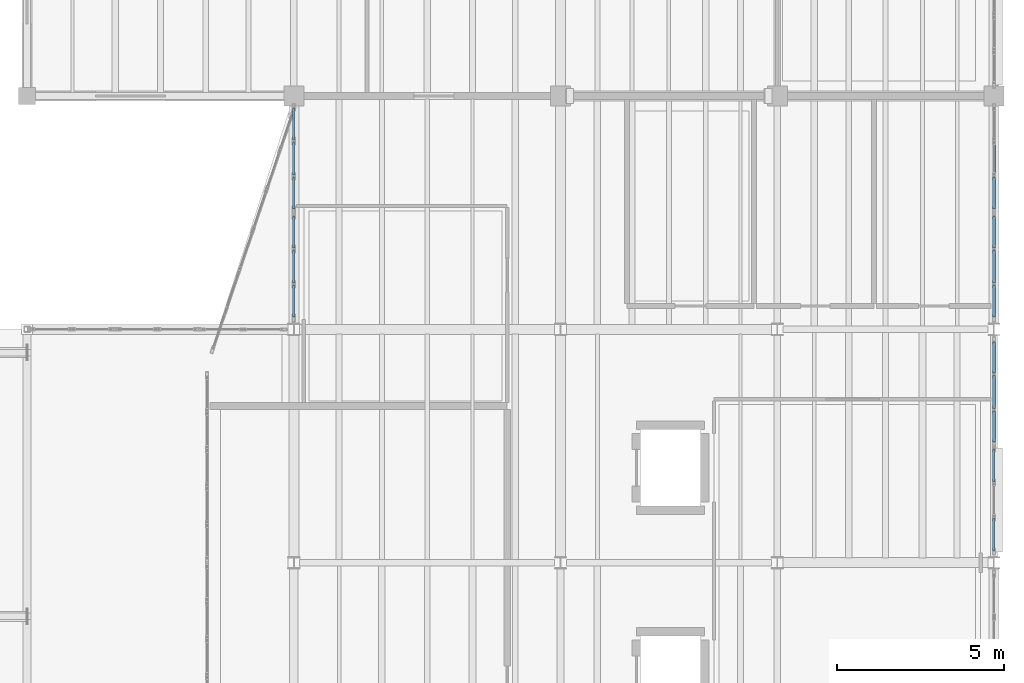
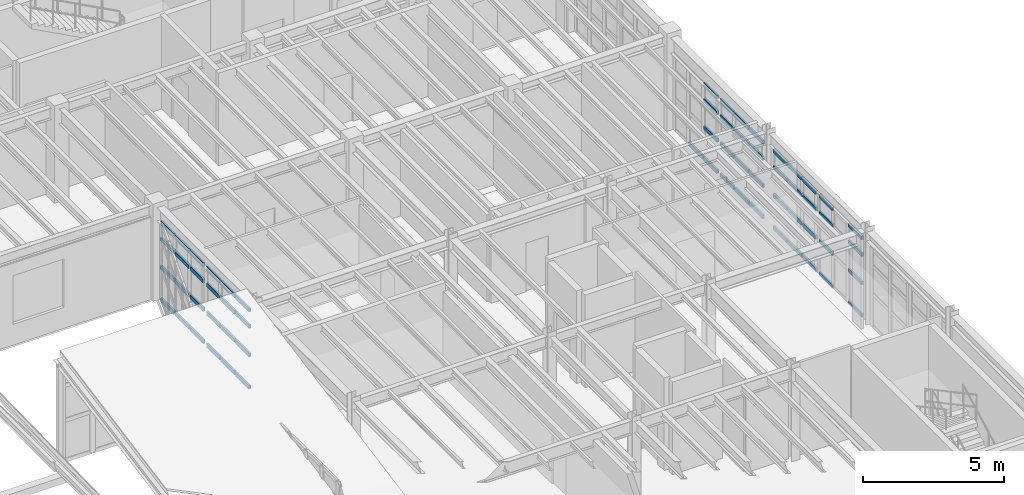
# One storey, part 45 of 77: 61 members, 6 elements without a shape of their own.
"""IFC4 building model written with IfcOpenShell, lengths in metres."""

from ifc_helpers import new_model, si_unit, direction, frame, origin, origin_2d, place, context, subcontext, project, spatial, hollow_rectangle, extrude, material, material_profile, profile_set, type_object, element, aggregate, save


model = new_model("IFC4")

# Units and contexts
model_context = context("Model", 3, precision=1e-05, world=origin(), true_north=direction((0.0, 1.0)))
body_context = subcontext(model_context, "Body", "Model", "MODEL_VIEW")
ifc_project = project(units=[si_unit("LENGTHUNIT", "METRE"), si_unit("AREAUNIT", "SQUARE_METRE"), si_unit("VOLUMEUNIT", "CUBIC_METRE"), si_unit("PLANEANGLEUNIT", "RADIAN"), si_unit("MASSUNIT", "GRAM", prefix="KILO"), si_unit("THERMODYNAMICTEMPERATUREUNIT", "KELVIN"), si_unit("POWERUNIT", "WATT")], contexts=[model_context])

# Site, building, storey
site_placement = place(None, origin())
site = spatial("IfcSite", under=ifc_project, at=site_placement, CompositionType="ELEMENT")
building_placement = place(site_placement, origin())
building = spatial("IfcBuilding", under=site, at=building_placement, Name="Zhenchuan Central Fire Station", CompositionType="ELEMENT")
storey_placement = place(building_placement, frame((0.0, 0.0, 10.050048828125)))
storey = spatial("IfcBuildingStorey", under=building, at=storey_placement, Name="L03", CompositionType="ELEMENT", Elevation=10.050048828125)

# Curtain wall, members
ifc_material_1 = material(Name="Anodised aluminium and low-E glazing", Category="aluminium")
curtain_wall_type_1 = type_object("IfcCurtainWallType", Name="CW-MOD-11", PredefinedType="USERDEFINED", material=ifc_material_1)
curtain_wall_1_placement = place(storey_placement, origin())
curtain_wall_1 = element("IfcCurtainWall", 1, at=curtain_wall_1_placement, inside=storey, type_object=curtain_wall_type_1, Name="L03 Unitised Curtain Wall 108", ObjectType="UNITISED GLAZING", PredefinedType="USERDEFINED")
ifc_material_2 = material(Name="Anodised aluminium EN AW-6063", Category="aluminium")
ifc_material_profile_1 = material_profile(ifc_material_2, hollow_rectangle(XDim=0.074951171875, YDim=0.14990234375, WallThickness=0.0048828125, at=origin_2d()), Name="ALU-T 150x75")
ifc_profile_set_1 = profile_set([ifc_material_profile_1], Name="Anodised aluminium EN AW-6063")
member_type_1 = type_object("IfcMemberType", Name="CW-TRN130", PredefinedType="NOTDEFINED", material=ifc_profile_set_1)
member_1_placement = place(storey_placement, frame((161.0, 28.864990234375, 0.028564453125), z_axis=(0.0, 1.0, 0.0), x_axis=(-1.0, 0.0, 0.0)))
member_1 = element("IfcMember", 2, at=member_1_placement, type_object=member_type_1, Name="CW-11 transom 1.1", ObjectType="TRANSOM", PredefinedType="USERDEFINED", context=body_context, shape_type="SweptSolid", body=[
    extrude(hollow_rectangle(XDim=0.074951171875, YDim=0.14990234375, WallThickness=0.0048828125, at=origin_2d()), origin(), (0.0, 0.0, 1.0), 0.95654296875),
])
member_2_placement = place(storey_placement, frame((161.0, 28.864990234375, 1.427978515625), z_axis=(0.0, 1.0, 0.0), x_axis=(-1.0, 0.0, 0.0)))
member_2 = element("IfcMember", 3, at=member_2_placement, type_object=member_type_1, Name="CW-11 transom 1.2", ObjectType="TRANSOM", PredefinedType="USERDEFINED", context=body_context, shape_type="SweptSolid", body=[
    extrude(hollow_rectangle(XDim=0.074951171875, YDim=0.14990234375, WallThickness=0.0048828125, at=origin_2d()), origin(), (0.0, 0.0, 1.0), 0.95654296875),
])
member_3_placement = place(storey_placement, frame((161.0, 28.864990234375, 2.65185546875), z_axis=(0.0, 1.0, 0.0), x_axis=(-1.0, 0.0, 0.0)))
member_3 = element("IfcMember", 4, at=member_3_placement, type_object=member_type_1, Name="CW-11 transom 1.3", ObjectType="TRANSOM", PredefinedType="USERDEFINED", context=body_context, shape_type="SweptSolid", body=[
    extrude(hollow_rectangle(XDim=0.074951171875, YDim=0.14990234375, WallThickness=0.0048828125, at=origin_2d()), origin(), (0.0, 0.0, 1.0), 0.95654296875),
])
member_4_placement = place(storey_placement, frame((161.0, 28.864990234375, 3.367431640625), z_axis=(0.0, 1.0, 0.0), x_axis=(-1.0, 0.0, 0.0)))
member_4 = element("IfcMember", 5, at=member_4_placement, type_object=member_type_1, Name="CW-11 transom 1.4", ObjectType="TRANSOM", PredefinedType="USERDEFINED", context=body_context, shape_type="SweptSolid", body=[
    extrude(hollow_rectangle(XDim=0.074951171875, YDim=0.14990234375, WallThickness=0.0048828125, at=origin_2d()), origin(), (0.0, 0.0, 1.0), 0.95654296875),
])
member_5_placement = place(storey_placement, frame((161.0, 30.9404296875, 0.028564453125), z_axis=(0.0, 1.0, 0.0), x_axis=(-1.0, 0.0, 0.0)))
member_5 = element("IfcMember", 6, at=member_5_placement, type_object=member_type_1, Name="CW-11 transom 3.1", ObjectType="TRANSOM", PredefinedType="USERDEFINED", context=body_context, shape_type="SweptSolid", body=[
    extrude(hollow_rectangle(XDim=0.074951171875, YDim=0.14990234375, WallThickness=0.0048828125, at=origin_2d()), origin(), (0.0, 0.0, 1.0), 0.95654296875),
])
member_6_placement = place(storey_placement, frame((161.0, 30.9404296875, 1.427978515625), z_axis=(0.0, 1.0, 0.0), x_axis=(-1.0, 0.0, 0.0)))
member_6 = element("IfcMember", 7, at=member_6_placement, type_object=member_type_1, Name="CW-11 transom 3.2", ObjectType="TRANSOM", PredefinedType="USERDEFINED", context=body_context, shape_type="SweptSolid", body=[
    extrude(hollow_rectangle(XDim=0.074951171875, YDim=0.14990234375, WallThickness=0.0048828125, at=origin_2d()), origin(), (0.0, 0.0, 1.0), 0.95654296875),
])
member_7_placement = place(storey_placement, frame((161.0, 30.9404296875, 2.65185546875), z_axis=(0.0, 1.0, 0.0), x_axis=(-1.0, 0.0, 0.0)))
member_7 = element("IfcMember", 8, at=member_7_placement, type_object=member_type_1, Name="CW-11 transom 3.3", ObjectType="TRANSOM", PredefinedType="USERDEFINED", context=body_context, shape_type="SweptSolid", body=[
    extrude(hollow_rectangle(XDim=0.074951171875, YDim=0.14990234375, WallThickness=0.0048828125, at=origin_2d()), origin(), (0.0, 0.0, 1.0), 0.95654296875),
])
member_8_placement = place(storey_placement, frame((161.0, 30.9404296875, 3.367431640625), z_axis=(0.0, 1.0, 0.0), x_axis=(-1.0, 0.0, 0.0)))
member_8 = element("IfcMember", 9, at=member_8_placement, type_object=member_type_1, Name="CW-11 transom 3.4", ObjectType="TRANSOM", PredefinedType="USERDEFINED", context=body_context, shape_type="SweptSolid", body=[
    extrude(hollow_rectangle(XDim=0.074951171875, YDim=0.14990234375, WallThickness=0.0048828125, at=origin_2d()), origin(), (0.0, 0.0, 1.0), 0.95654296875),
])
aggregate(curtain_wall_1, [member_1, member_2, member_3, member_4, member_5, member_6, member_7, member_8])

curtain_wall_type_2 = type_object("IfcCurtainWallType", Name="CW-MOD-12", PredefinedType="USERDEFINED", material=ifc_material_1)
curtain_wall_2_placement = place(storey_placement, origin())
curtain_wall_2 = element("IfcCurtainWall", 10, at=curtain_wall_2_placement, inside=storey, type_object=curtain_wall_type_2, Name="L03 Unitised Curtain Wall 109", ObjectType="UNITISED GLAZING", PredefinedType="USERDEFINED")
ifc_material_profile_2 = material_profile(ifc_material_2, hollow_rectangle(XDim=0.080078125, YDim=0.1650390625, WallThickness=0.0048828125, at=origin_2d()), Name="ALU-T 165x80")
ifc_profile_set_2 = profile_set([ifc_material_profile_2], Name="Anodised aluminium EN AW-6063")
member_type_2 = type_object("IfcMemberType", Name="CW-TRN150", PredefinedType="NOTDEFINED", material=ifc_profile_set_2)
member_9_placement = place(storey_placement, frame((161.0, 32.113037109375, 0.033447265625), z_axis=(0.0, 1.0, 0.0), x_axis=(-1.0, 0.0, 0.0)))
member_9 = element("IfcMember", 11, at=member_9_placement, type_object=member_type_2, Name="CW-12 transom 1.1", ObjectType="TRANSOM", PredefinedType="USERDEFINED", context=body_context, shape_type="SweptSolid", body=[
    extrude(hollow_rectangle(XDim=0.080078125, YDim=0.1650390625, WallThickness=0.0048828125, at=origin_2d()), origin(), (0.0, 0.0, 1.0), 0.94140625),
])
member_10_placement = place(storey_placement, frame((161.0, 32.113037109375, 1.427978515625), z_axis=(0.0, 1.0, 0.0), x_axis=(-1.0, 0.0, 0.0)))
member_10 = element("IfcMember", 12, at=member_10_placement, type_object=member_type_2, Name="CW-12 transom 1.2", ObjectType="TRANSOM", PredefinedType="USERDEFINED", context=body_context, shape_type="SweptSolid", body=[
    extrude(hollow_rectangle(XDim=0.080078125, YDim=0.1650390625, WallThickness=0.0048828125, at=origin_2d()), origin(), (0.0, 0.0, 1.0), 0.94140625),
])
member_11_placement = place(storey_placement, frame((161.0, 32.113037109375, 2.65185546875), z_axis=(0.0, 1.0, 0.0), x_axis=(-1.0, 0.0, 0.0)))
member_11 = element("IfcMember", 13, at=member_11_placement, type_object=member_type_2, Name="CW-12 transom 1.3", ObjectType="TRANSOM", PredefinedType="USERDEFINED", context=body_context, shape_type="SweptSolid", body=[
    extrude(hollow_rectangle(XDim=0.080078125, YDim=0.1650390625, WallThickness=0.0048828125, at=origin_2d()), origin(), (0.0, 0.0, 1.0), 0.94140625),
])
member_12_placement = place(storey_placement, frame((161.0, 32.113037109375, 3.362548828125), z_axis=(0.0, 1.0, 0.0), x_axis=(-1.0, 0.0, 0.0)))
member_12 = element("IfcMember", 14, at=member_12_placement, type_object=member_type_2, Name="CW-12 transom 1.4", ObjectType="TRANSOM", PredefinedType="USERDEFINED", context=body_context, shape_type="SweptSolid", body=[
    extrude(hollow_rectangle(XDim=0.080078125, YDim=0.1650390625, WallThickness=0.0048828125, at=origin_2d()), origin(), (0.0, 0.0, 1.0), 0.94140625),
])
member_13_placement = place(storey_placement, frame((161.0, 33.12939453125, 0.033447265625), z_axis=(0.0, 1.0, 0.0), x_axis=(-1.0, 0.0, 0.0)))
member_13 = element("IfcMember", 15, at=member_13_placement, type_object=member_type_2, Name="CW-12 transom 2.1", ObjectType="TRANSOM", PredefinedType="USERDEFINED", context=body_context, shape_type="SweptSolid", body=[
    extrude(hollow_rectangle(XDim=0.080078125, YDim=0.1650390625, WallThickness=0.0048828125, at=origin_2d()), origin(), (0.0, 0.0, 1.0), 0.97900390625),
])
member_14_placement = place(storey_placement, frame((161.0, 33.12939453125, 1.427978515625), z_axis=(0.0, 1.0, 0.0), x_axis=(-1.0, 0.0, 0.0)))
member_14 = element("IfcMember", 16, at=member_14_placement, type_object=member_type_2, Name="CW-12 transom 2.2", ObjectType="TRANSOM", PredefinedType="USERDEFINED", context=body_context, shape_type="SweptSolid", body=[
    extrude(hollow_rectangle(XDim=0.080078125, YDim=0.1650390625, WallThickness=0.0048828125, at=origin_2d()), origin(), (0.0, 0.0, 1.0), 0.97900390625),
])
member_15_placement = place(storey_placement, frame((161.0, 33.12939453125, 2.65185546875), z_axis=(0.0, 1.0, 0.0), x_axis=(-1.0, 0.0, 0.0)))
member_15 = element("IfcMember", 17, at=member_15_placement, type_object=member_type_2, Name="CW-12 transom 2.3", ObjectType="TRANSOM", PredefinedType="USERDEFINED", context=body_context, shape_type="SweptSolid", body=[
    extrude(hollow_rectangle(XDim=0.080078125, YDim=0.1650390625, WallThickness=0.0048828125, at=origin_2d()), origin(), (0.0, 0.0, 1.0), 0.97900390625),
])
member_16_placement = place(storey_placement, frame((161.0, 33.12939453125, 3.362548828125), z_axis=(0.0, 1.0, 0.0), x_axis=(-1.0, 0.0, 0.0)))
member_16 = element("IfcMember", 18, at=member_16_placement, type_object=member_type_2, Name="CW-12 transom 2.4", ObjectType="TRANSOM", PredefinedType="USERDEFINED", context=body_context, shape_type="SweptSolid", body=[
    extrude(hollow_rectangle(XDim=0.080078125, YDim=0.1650390625, WallThickness=0.0048828125, at=origin_2d()), origin(), (0.0, 0.0, 1.0), 0.97900390625),
])
member_17_placement = place(storey_placement, frame((161.0, 34.18359375, 0.033447265625), z_axis=(0.0, 1.0, 0.0), x_axis=(-1.0, 0.0, 0.0)))
member_17 = element("IfcMember", 19, at=member_17_placement, type_object=member_type_2, Name="CW-12 transom 3.1", ObjectType="TRANSOM", PredefinedType="USERDEFINED", context=body_context, shape_type="SweptSolid", body=[
    extrude(hollow_rectangle(XDim=0.080078125, YDim=0.1650390625, WallThickness=0.0048828125, at=origin_2d()), origin(), (0.0, 0.0, 1.0), 0.94140625),
])
member_18_placement = place(storey_placement, frame((161.0, 34.18359375, 1.427978515625), z_axis=(0.0, 1.0, 0.0), x_axis=(-1.0, 0.0, 0.0)))
member_18 = element("IfcMember", 20, at=member_18_placement, type_object=member_type_2, Name="CW-12 transom 3.2", ObjectType="TRANSOM", PredefinedType="USERDEFINED", context=body_context, shape_type="SweptSolid", body=[
    extrude(hollow_rectangle(XDim=0.080078125, YDim=0.1650390625, WallThickness=0.0048828125, at=origin_2d()), origin(), (0.0, 0.0, 1.0), 0.94140625),
])
member_19_placement = place(storey_placement, frame((161.0, 34.18359375, 2.65185546875), z_axis=(0.0, 1.0, 0.0), x_axis=(-1.0, 0.0, 0.0)))
member_19 = element("IfcMember", 21, at=member_19_placement, type_object=member_type_2, Name="CW-12 transom 3.3", ObjectType="TRANSOM", PredefinedType="USERDEFINED", context=body_context, shape_type="SweptSolid", body=[
    extrude(hollow_rectangle(XDim=0.080078125, YDim=0.1650390625, WallThickness=0.0048828125, at=origin_2d()), origin(), (0.0, 0.0, 1.0), 0.94140625),
])
member_20_placement = place(storey_placement, frame((161.0, 34.18359375, 3.362548828125), z_axis=(0.0, 1.0, 0.0), x_axis=(-1.0, 0.0, 0.0)))
member_20 = element("IfcMember", 22, at=member_20_placement, type_object=member_type_2, Name="CW-12 transom 3.4", ObjectType="TRANSOM", PredefinedType="USERDEFINED", context=body_context, shape_type="SweptSolid", body=[
    extrude(hollow_rectangle(XDim=0.080078125, YDim=0.1650390625, WallThickness=0.0048828125, at=origin_2d()), origin(), (0.0, 0.0, 1.0), 0.94140625),
])
aggregate(curtain_wall_2, [member_9, member_10, member_11, member_12, member_13, member_14, member_15, member_16, member_17, member_18, member_19, member_20])

curtain_wall_type_3 = type_object("IfcCurtainWallType", Name="CW-MOD-13", PredefinedType="USERDEFINED", material=ifc_material_1)
curtain_wall_3_placement = place(storey_placement, origin())
curtain_wall_3 = element("IfcCurtainWall", 23, at=curtain_wall_3_placement, inside=storey, type_object=curtain_wall_type_3, Name="L03 Unitised Curtain Wall 110", ObjectType="UNITISED GLAZING", PredefinedType="USERDEFINED")
member_21_placement = place(storey_placement, frame((161.0, 35.875, 0.033447265625), z_axis=(0.0, 1.0, 0.0), x_axis=(-1.0, 0.0, 0.0)))
member_21 = element("IfcMember", 24, at=member_21_placement, type_object=member_type_2, Name="CW-13 transom 1.1", ObjectType="TRANSOM", PredefinedType="USERDEFINED", context=body_context, shape_type="SweptSolid", body=[
    extrude(hollow_rectangle(XDim=0.080078125, YDim=0.1650390625, WallThickness=0.0048828125, at=origin_2d()), origin(), (0.0, 0.0, 1.0), 0.94140625),
])
member_22_placement = place(storey_placement, frame((161.0, 35.875, 1.383544921875), z_axis=(0.0, 1.0, 0.0), x_axis=(-1.0, 0.0, 0.0)))
member_22 = element("IfcMember", 25, at=member_22_placement, type_object=member_type_2, Name="CW-13 transom 1.2", ObjectType="TRANSOM", PredefinedType="USERDEFINED", context=body_context, shape_type="SweptSolid", body=[
    extrude(hollow_rectangle(XDim=0.080078125, YDim=0.1650390625, WallThickness=0.0048828125, at=origin_2d()), origin(), (0.0, 0.0, 1.0), 0.94140625),
])
member_23_placement = place(storey_placement, frame((161.0, 35.875, 2.5693359375), z_axis=(0.0, 1.0, 0.0), x_axis=(-1.0, 0.0, 0.0)))
member_23 = element("IfcMember", 26, at=member_23_placement, type_object=member_type_2, Name="CW-13 transom 1.3", ObjectType="TRANSOM", PredefinedType="USERDEFINED", context=body_context, shape_type="SweptSolid", body=[
    extrude(hollow_rectangle(XDim=0.080078125, YDim=0.1650390625, WallThickness=0.0048828125, at=origin_2d()), origin(), (0.0, 0.0, 1.0), 0.94140625),
])
member_24_placement = place(storey_placement, frame((161.0, 35.875, 3.25634765625), z_axis=(0.0, 1.0, 0.0), x_axis=(-1.0, 0.0, 0.0)))
member_24 = element("IfcMember", 27, at=member_24_placement, type_object=member_type_2, Name="CW-13 transom 1.4", ObjectType="TRANSOM", PredefinedType="USERDEFINED", context=body_context, shape_type="SweptSolid", body=[
    extrude(hollow_rectangle(XDim=0.080078125, YDim=0.1650390625, WallThickness=0.0048828125, at=origin_2d()), origin(), (0.0, 0.0, 1.0), 0.94140625),
])
member_25_placement = place(storey_placement, frame((161.0, 36.8916015625, 0.033447265625), z_axis=(0.0, 1.0, 0.0), x_axis=(-1.0, 0.0, 0.0)))
member_25 = element("IfcMember", 28, at=member_25_placement, type_object=member_type_2, Name="CW-13 transom 2.1", ObjectType="TRANSOM", PredefinedType="USERDEFINED", context=body_context, shape_type="SweptSolid", body=[
    extrude(hollow_rectangle(XDim=0.080078125, YDim=0.1650390625, WallThickness=0.0048828125, at=origin_2d()), origin(), (0.0, 0.0, 1.0), 0.97900390625),
])
member_26_placement = place(storey_placement, frame((161.0, 36.8916015625, 1.383544921875), z_axis=(0.0, 1.0, 0.0), x_axis=(-1.0, 0.0, 0.0)))
member_26 = element("IfcMember", 29, at=member_26_placement, type_object=member_type_2, Name="CW-13 transom 2.2", ObjectType="TRANSOM", PredefinedType="USERDEFINED", context=body_context, shape_type="SweptSolid", body=[
    extrude(hollow_rectangle(XDim=0.080078125, YDim=0.1650390625, WallThickness=0.0048828125, at=origin_2d()), origin(), (0.0, 0.0, 1.0), 0.97900390625),
])
member_27_placement = place(storey_placement, frame((161.0, 36.8916015625, 2.5693359375), z_axis=(0.0, 1.0, 0.0), x_axis=(-1.0, 0.0, 0.0)))
member_27 = element("IfcMember", 30, at=member_27_placement, type_object=member_type_2, Name="CW-13 transom 2.3", ObjectType="TRANSOM", PredefinedType="USERDEFINED", context=body_context, shape_type="SweptSolid", body=[
    extrude(hollow_rectangle(XDim=0.080078125, YDim=0.1650390625, WallThickness=0.0048828125, at=origin_2d()), origin(), (0.0, 0.0, 1.0), 0.97900390625),
])
member_28_placement = place(storey_placement, frame((161.0, 36.8916015625, 3.25634765625), z_axis=(0.0, 1.0, 0.0), x_axis=(-1.0, 0.0, 0.0)))
member_28 = element("IfcMember", 31, at=member_28_placement, type_object=member_type_2, Name="CW-13 transom 2.4", ObjectType="TRANSOM", PredefinedType="USERDEFINED", context=body_context, shape_type="SweptSolid", body=[
    extrude(hollow_rectangle(XDim=0.080078125, YDim=0.1650390625, WallThickness=0.0048828125, at=origin_2d()), origin(), (0.0, 0.0, 1.0), 0.97900390625),
])
member_29_placement = place(storey_placement, frame((161.0, 37.945556640625, 0.033447265625), z_axis=(0.0, 1.0, 0.0), x_axis=(-1.0, 0.0, 0.0)))
member_29 = element("IfcMember", 32, at=member_29_placement, type_object=member_type_2, Name="CW-13 transom 3.1", ObjectType="TRANSOM", PredefinedType="USERDEFINED", context=body_context, shape_type="SweptSolid", body=[
    extrude(hollow_rectangle(XDim=0.080078125, YDim=0.1650390625, WallThickness=0.0048828125, at=origin_2d()), origin(), (0.0, 0.0, 1.0), 0.94140625),
])
member_30_placement = place(storey_placement, frame((161.0, 37.945556640625, 1.383544921875), z_axis=(0.0, 1.0, 0.0), x_axis=(-1.0, 0.0, 0.0)))
member_30 = element("IfcMember", 33, at=member_30_placement, type_object=member_type_2, Name="CW-13 transom 3.2", ObjectType="TRANSOM", PredefinedType="USERDEFINED", context=body_context, shape_type="SweptSolid", body=[
    extrude(hollow_rectangle(XDim=0.080078125, YDim=0.1650390625, WallThickness=0.0048828125, at=origin_2d()), origin(), (0.0, 0.0, 1.0), 0.94140625),
])
member_31_placement = place(storey_placement, frame((161.0, 37.945556640625, 2.5693359375), z_axis=(0.0, 1.0, 0.0), x_axis=(-1.0, 0.0, 0.0)))
member_31 = element("IfcMember", 34, at=member_31_placement, type_object=member_type_2, Name="CW-13 transom 3.3", ObjectType="TRANSOM", PredefinedType="USERDEFINED", context=body_context, shape_type="SweptSolid", body=[
    extrude(hollow_rectangle(XDim=0.080078125, YDim=0.1650390625, WallThickness=0.0048828125, at=origin_2d()), origin(), (0.0, 0.0, 1.0), 0.94140625),
])
member_32_placement = place(storey_placement, frame((161.0, 37.945556640625, 3.25634765625), z_axis=(0.0, 1.0, 0.0), x_axis=(-1.0, 0.0, 0.0)))
member_32 = element("IfcMember", 35, at=member_32_placement, type_object=member_type_2, Name="CW-13 transom 3.4", ObjectType="TRANSOM", PredefinedType="USERDEFINED", context=body_context, shape_type="SweptSolid", body=[
    extrude(hollow_rectangle(XDim=0.080078125, YDim=0.1650390625, WallThickness=0.0048828125, at=origin_2d()), origin(), (0.0, 0.0, 1.0), 0.94140625),
])
aggregate(curtain_wall_3, [member_21, member_22, member_23, member_24, member_25, member_26, member_27, member_28, member_29, member_30, member_31, member_32])

curtain_wall_type_4 = type_object("IfcCurtainWallType", Name="CW-MOD-14", PredefinedType="USERDEFINED", material=ifc_material_1)
curtain_wall_4_placement = place(storey_placement, origin())
curtain_wall_4 = element("IfcCurtainWall", 36, at=curtain_wall_4_placement, inside=storey, type_object=curtain_wall_type_4, Name="L03 Unitised Curtain Wall 111", ObjectType="UNITISED GLAZING", PredefinedType="USERDEFINED")
member_33_placement = place(storey_placement, frame((161.0, 39.113037109375, 0.033447265625), z_axis=(0.0, 1.0, 0.0), x_axis=(-1.0, 0.0, 0.0)))
member_33 = element("IfcMember", 37, at=member_33_placement, type_object=member_type_2, Name="CW-14 transom 1.1", ObjectType="TRANSOM", PredefinedType="USERDEFINED", context=body_context, shape_type="SweptSolid", body=[
    extrude(hollow_rectangle(XDim=0.080078125, YDim=0.1650390625, WallThickness=0.0048828125, at=origin_2d()), origin(), (0.0, 0.0, 1.0), 0.94140625),
])
member_34_placement = place(storey_placement, frame((161.0, 39.113037109375, 1.383544921875), z_axis=(0.0, 1.0, 0.0), x_axis=(-1.0, 0.0, 0.0)))
member_34 = element("IfcMember", 38, at=member_34_placement, type_object=member_type_2, Name="CW-14 transom 1.2", ObjectType="TRANSOM", PredefinedType="USERDEFINED", context=body_context, shape_type="SweptSolid", body=[
    extrude(hollow_rectangle(XDim=0.080078125, YDim=0.1650390625, WallThickness=0.0048828125, at=origin_2d()), origin(), (0.0, 0.0, 1.0), 0.94140625),
])
member_35_placement = place(storey_placement, frame((161.0, 39.113037109375, 2.5693359375), z_axis=(0.0, 1.0, 0.0), x_axis=(-1.0, 0.0, 0.0)))
member_35 = element("IfcMember", 39, at=member_35_placement, type_object=member_type_2, Name="CW-14 transom 1.3", ObjectType="TRANSOM", PredefinedType="USERDEFINED", context=body_context, shape_type="SweptSolid", body=[
    extrude(hollow_rectangle(XDim=0.080078125, YDim=0.1650390625, WallThickness=0.0048828125, at=origin_2d()), origin(), (0.0, 0.0, 1.0), 0.94140625),
])
member_36_placement = place(storey_placement, frame((161.0, 39.113037109375, 3.25634765625), z_axis=(0.0, 1.0, 0.0), x_axis=(-1.0, 0.0, 0.0)))
member_36 = element("IfcMember", 40, at=member_36_placement, type_object=member_type_2, Name="CW-14 transom 1.4", ObjectType="TRANSOM", PredefinedType="USERDEFINED", context=body_context, shape_type="SweptSolid", body=[
    extrude(hollow_rectangle(XDim=0.080078125, YDim=0.1650390625, WallThickness=0.0048828125, at=origin_2d()), origin(), (0.0, 0.0, 1.0), 0.94140625),
])
member_37_placement = place(storey_placement, frame((161.0, 40.12939453125, 0.033447265625), z_axis=(0.0, 1.0, 0.0), x_axis=(-1.0, 0.0, 0.0)))
member_37 = element("IfcMember", 41, at=member_37_placement, type_object=member_type_2, Name="CW-14 transom 2.1", ObjectType="TRANSOM", PredefinedType="USERDEFINED", context=body_context, shape_type="SweptSolid", body=[
    extrude(hollow_rectangle(XDim=0.080078125, YDim=0.1650390625, WallThickness=0.0048828125, at=origin_2d()), origin(), (0.0, 0.0, 1.0), 0.97900390625),
])
aggregate(curtain_wall_4, [member_33, member_34, member_35, member_36, member_37])

curtain_wall_type_5 = type_object("IfcCurtainWallType", Name="CW-MOD-16", PredefinedType="USERDEFINED", material=ifc_material_1)
curtain_wall_5_placement = place(storey_placement, origin())
curtain_wall_5 = element("IfcCurtainWall", 42, at=curtain_wall_5_placement, inside=storey, type_object=curtain_wall_type_5, Name="L03 Unitised Curtain Wall 116", ObjectType="UNITISED GLAZING", PredefinedType="USERDEFINED")
member_38_placement = place(storey_placement, frame((140.0, 35.875, 0.033447265625), z_axis=(0.0, 1.0, 0.0), x_axis=(-1.0, 0.0, 0.0)))
member_38 = element("IfcMember", 43, at=member_38_placement, type_object=member_type_2, Name="CW-16 transom 1.1", ObjectType="TRANSOM", PredefinedType="USERDEFINED", context=body_context, shape_type="SweptSolid", body=[
    extrude(hollow_rectangle(XDim=0.080078125, YDim=0.1650390625, WallThickness=0.0048828125, at=origin_2d()), origin(), (0.0, 0.0, 1.0), 0.94140625),
])
member_39_placement = place(storey_placement, frame((140.0, 35.875, 1.427978515625), z_axis=(0.0, 1.0, 0.0), x_axis=(-1.0, 0.0, 0.0)))
member_39 = element("IfcMember", 44, at=member_39_placement, type_object=member_type_2, Name="CW-16 transom 1.2", ObjectType="TRANSOM", PredefinedType="USERDEFINED", context=body_context, shape_type="SweptSolid", body=[
    extrude(hollow_rectangle(XDim=0.080078125, YDim=0.1650390625, WallThickness=0.0048828125, at=origin_2d()), origin(), (0.0, 0.0, 1.0), 0.94140625),
])
member_40_placement = place(storey_placement, frame((140.0, 35.875, 2.65185546875), z_axis=(0.0, 1.0, 0.0), x_axis=(-1.0, 0.0, 0.0)))
member_40 = element("IfcMember", 45, at=member_40_placement, type_object=member_type_2, Name="CW-16 transom 1.3", ObjectType="TRANSOM", PredefinedType="USERDEFINED", context=body_context, shape_type="SweptSolid", body=[
    extrude(hollow_rectangle(XDim=0.080078125, YDim=0.1650390625, WallThickness=0.0048828125, at=origin_2d()), origin(), (0.0, 0.0, 1.0), 0.94140625),
])
member_41_placement = place(storey_placement, frame((140.0, 35.875, 3.362548828125), z_axis=(0.0, 1.0, 0.0), x_axis=(-1.0, 0.0, 0.0)))
member_41 = element("IfcMember", 46, at=member_41_placement, type_object=member_type_2, Name="CW-16 transom 1.4", ObjectType="TRANSOM", PredefinedType="USERDEFINED", context=body_context, shape_type="SweptSolid", body=[
    extrude(hollow_rectangle(XDim=0.080078125, YDim=0.1650390625, WallThickness=0.0048828125, at=origin_2d()), origin(), (0.0, 0.0, 1.0), 0.94140625),
])
member_42_placement = place(storey_placement, frame((140.0, 36.8916015625, 0.033447265625), z_axis=(0.0, 1.0, 0.0), x_axis=(-1.0, 0.0, 0.0)))
member_42 = element("IfcMember", 47, at=member_42_placement, type_object=member_type_2, Name="CW-16 transom 2.1", ObjectType="TRANSOM", PredefinedType="USERDEFINED", context=body_context, shape_type="SweptSolid", body=[
    extrude(hollow_rectangle(XDim=0.080078125, YDim=0.1650390625, WallThickness=0.0048828125, at=origin_2d()), origin(), (0.0, 0.0, 1.0), 0.97900390625),
])
member_43_placement = place(storey_placement, frame((140.0, 36.8916015625, 1.427978515625), z_axis=(0.0, 1.0, 0.0), x_axis=(-1.0, 0.0, 0.0)))
member_43 = element("IfcMember", 48, at=member_43_placement, type_object=member_type_2, Name="CW-16 transom 2.2", ObjectType="TRANSOM", PredefinedType="USERDEFINED", context=body_context, shape_type="SweptSolid", body=[
    extrude(hollow_rectangle(XDim=0.080078125, YDim=0.1650390625, WallThickness=0.0048828125, at=origin_2d()), origin(), (0.0, 0.0, 1.0), 0.97900390625),
])
member_44_placement = place(storey_placement, frame((140.0, 36.8916015625, 2.65185546875), z_axis=(0.0, 1.0, 0.0), x_axis=(-1.0, 0.0, 0.0)))
member_44 = element("IfcMember", 49, at=member_44_placement, type_object=member_type_2, Name="CW-16 transom 2.3", ObjectType="TRANSOM", PredefinedType="USERDEFINED", context=body_context, shape_type="SweptSolid", body=[
    extrude(hollow_rectangle(XDim=0.080078125, YDim=0.1650390625, WallThickness=0.0048828125, at=origin_2d()), origin(), (0.0, 0.0, 1.0), 0.97900390625),
])
member_45_placement = place(storey_placement, frame((140.0, 36.8916015625, 3.362548828125), z_axis=(0.0, 1.0, 0.0), x_axis=(-1.0, 0.0, 0.0)))
member_45 = element("IfcMember", 50, at=member_45_placement, type_object=member_type_2, Name="CW-16 transom 2.4", ObjectType="TRANSOM", PredefinedType="USERDEFINED", context=body_context, shape_type="SweptSolid", body=[
    extrude(hollow_rectangle(XDim=0.080078125, YDim=0.1650390625, WallThickness=0.0048828125, at=origin_2d()), origin(), (0.0, 0.0, 1.0), 0.97900390625),
])
member_46_placement = place(storey_placement, frame((140.0, 37.945556640625, 0.033447265625), z_axis=(0.0, 1.0, 0.0), x_axis=(-1.0, 0.0, 0.0)))
member_46 = element("IfcMember", 51, at=member_46_placement, type_object=member_type_2, Name="CW-16 transom 3.1", ObjectType="TRANSOM", PredefinedType="USERDEFINED", context=body_context, shape_type="SweptSolid", body=[
    extrude(hollow_rectangle(XDim=0.080078125, YDim=0.1650390625, WallThickness=0.0048828125, at=origin_2d()), origin(), (0.0, 0.0, 1.0), 0.94140625),
])
member_47_placement = place(storey_placement, frame((140.0, 37.945556640625, 1.427978515625), z_axis=(0.0, 1.0, 0.0), x_axis=(-1.0, 0.0, 0.0)))
member_47 = element("IfcMember", 52, at=member_47_placement, type_object=member_type_2, Name="CW-16 transom 3.2", ObjectType="TRANSOM", PredefinedType="USERDEFINED", context=body_context, shape_type="SweptSolid", body=[
    extrude(hollow_rectangle(XDim=0.080078125, YDim=0.1650390625, WallThickness=0.0048828125, at=origin_2d()), origin(), (0.0, 0.0, 1.0), 0.94140625),
])
member_48_placement = place(storey_placement, frame((140.0, 37.945556640625, 2.65185546875), z_axis=(0.0, 1.0, 0.0), x_axis=(-1.0, 0.0, 0.0)))
member_48 = element("IfcMember", 53, at=member_48_placement, type_object=member_type_2, Name="CW-16 transom 3.3", ObjectType="TRANSOM", PredefinedType="USERDEFINED", context=body_context, shape_type="SweptSolid", body=[
    extrude(hollow_rectangle(XDim=0.080078125, YDim=0.1650390625, WallThickness=0.0048828125, at=origin_2d()), origin(), (0.0, 0.0, 1.0), 0.94140625),
])
member_49_placement = place(storey_placement, frame((140.0, 37.945556640625, 3.362548828125), z_axis=(0.0, 1.0, 0.0), x_axis=(-1.0, 0.0, 0.0)))
member_49 = element("IfcMember", 54, at=member_49_placement, type_object=member_type_2, Name="CW-16 transom 3.4", ObjectType="TRANSOM", PredefinedType="USERDEFINED", context=body_context, shape_type="SweptSolid", body=[
    extrude(hollow_rectangle(XDim=0.080078125, YDim=0.1650390625, WallThickness=0.0048828125, at=origin_2d()), origin(), (0.0, 0.0, 1.0), 0.94140625),
])
aggregate(curtain_wall_5, [member_38, member_39, member_40, member_41, member_42, member_43, member_44, member_45, member_46, member_47, member_48, member_49])

curtain_wall_type_6 = type_object("IfcCurtainWallType", Name="CW-MOD-17", PredefinedType="USERDEFINED", material=ifc_material_1)
curtain_wall_6_placement = place(storey_placement, origin())
curtain_wall_6 = element("IfcCurtainWall", 55, at=curtain_wall_6_placement, inside=storey, type_object=curtain_wall_type_6, Name="L03 Unitised Curtain Wall 117", ObjectType="UNITISED GLAZING", PredefinedType="USERDEFINED")
member_50_placement = place(storey_placement, frame((140.0, 39.113037109375, 0.033447265625), z_axis=(0.0, 1.0, 0.0), x_axis=(-1.0, 0.0, 0.0)))
member_50 = element("IfcMember", 56, at=member_50_placement, type_object=member_type_2, Name="CW-17 transom 1.1", ObjectType="TRANSOM", PredefinedType="USERDEFINED", context=body_context, shape_type="SweptSolid", body=[
    extrude(hollow_rectangle(XDim=0.080078125, YDim=0.1650390625, WallThickness=0.0048828125, at=origin_2d()), origin(), (0.0, 0.0, 1.0), 0.94140625),
])
member_51_placement = place(storey_placement, frame((140.0, 39.113037109375, 1.427978515625), z_axis=(0.0, 1.0, 0.0), x_axis=(-1.0, 0.0, 0.0)))
member_51 = element("IfcMember", 57, at=member_51_placement, type_object=member_type_2, Name="CW-17 transom 1.2", ObjectType="TRANSOM", PredefinedType="USERDEFINED", context=body_context, shape_type="SweptSolid", body=[
    extrude(hollow_rectangle(XDim=0.080078125, YDim=0.1650390625, WallThickness=0.0048828125, at=origin_2d()), origin(), (0.0, 0.0, 1.0), 0.94140625),
])
member_52_placement = place(storey_placement, frame((140.0, 39.113037109375, 2.65185546875), z_axis=(0.0, 1.0, 0.0), x_axis=(-1.0, 0.0, 0.0)))
member_52 = element("IfcMember", 58, at=member_52_placement, type_object=member_type_2, Name="CW-17 transom 1.3", ObjectType="TRANSOM", PredefinedType="USERDEFINED", context=body_context, shape_type="SweptSolid", body=[
    extrude(hollow_rectangle(XDim=0.080078125, YDim=0.1650390625, WallThickness=0.0048828125, at=origin_2d()), origin(), (0.0, 0.0, 1.0), 0.94140625),
])
member_53_placement = place(storey_placement, frame((140.0, 39.113037109375, 3.362548828125), z_axis=(0.0, 1.0, 0.0), x_axis=(-1.0, 0.0, 0.0)))
member_53 = element("IfcMember", 59, at=member_53_placement, type_object=member_type_2, Name="CW-17 transom 1.4", ObjectType="TRANSOM", PredefinedType="USERDEFINED", context=body_context, shape_type="SweptSolid", body=[
    extrude(hollow_rectangle(XDim=0.080078125, YDim=0.1650390625, WallThickness=0.0048828125, at=origin_2d()), origin(), (0.0, 0.0, 1.0), 0.94140625),
])
member_54_placement = place(storey_placement, frame((140.0, 40.12939453125, 0.033447265625), z_axis=(0.0, 1.0, 0.0), x_axis=(-1.0, 0.0, 0.0)))
member_54 = element("IfcMember", 60, at=member_54_placement, type_object=member_type_2, Name="CW-17 transom 2.1", ObjectType="TRANSOM", PredefinedType="USERDEFINED", context=body_context, shape_type="SweptSolid", body=[
    extrude(hollow_rectangle(XDim=0.080078125, YDim=0.1650390625, WallThickness=0.0048828125, at=origin_2d()), origin(), (0.0, 0.0, 1.0), 0.97900390625),
])
member_55_placement = place(storey_placement, frame((140.0, 40.12939453125, 1.427978515625), z_axis=(0.0, 1.0, 0.0), x_axis=(-1.0, 0.0, 0.0)))
member_55 = element("IfcMember", 61, at=member_55_placement, type_object=member_type_2, Name="CW-17 transom 2.2", ObjectType="TRANSOM", PredefinedType="USERDEFINED", context=body_context, shape_type="SweptSolid", body=[
    extrude(hollow_rectangle(XDim=0.080078125, YDim=0.1650390625, WallThickness=0.0048828125, at=origin_2d()), origin(), (0.0, 0.0, 1.0), 0.97900390625),
])
member_56_placement = place(storey_placement, frame((140.0, 40.12939453125, 2.65185546875), z_axis=(0.0, 1.0, 0.0), x_axis=(-1.0, 0.0, 0.0)))
member_56 = element("IfcMember", 62, at=member_56_placement, type_object=member_type_2, Name="CW-17 transom 2.3", ObjectType="TRANSOM", PredefinedType="USERDEFINED", context=body_context, shape_type="SweptSolid", body=[
    extrude(hollow_rectangle(XDim=0.080078125, YDim=0.1650390625, WallThickness=0.0048828125, at=origin_2d()), origin(), (0.0, 0.0, 1.0), 0.97900390625),
])
member_57_placement = place(storey_placement, frame((140.0, 40.12939453125, 3.362548828125), z_axis=(0.0, 1.0, 0.0), x_axis=(-1.0, 0.0, 0.0)))
member_57 = element("IfcMember", 63, at=member_57_placement, type_object=member_type_2, Name="CW-17 transom 2.4", ObjectType="TRANSOM", PredefinedType="USERDEFINED", context=body_context, shape_type="SweptSolid", body=[
    extrude(hollow_rectangle(XDim=0.080078125, YDim=0.1650390625, WallThickness=0.0048828125, at=origin_2d()), origin(), (0.0, 0.0, 1.0), 0.97900390625),
])
member_58_placement = place(storey_placement, frame((140.0, 41.18359375, 0.033447265625), z_axis=(0.0, 1.0, 0.0), x_axis=(-1.0, 0.0, 0.0)))
member_58 = element("IfcMember", 64, at=member_58_placement, type_object=member_type_2, Name="CW-17 transom 3.1", ObjectType="TRANSOM", PredefinedType="USERDEFINED", context=body_context, shape_type="SweptSolid", body=[
    extrude(hollow_rectangle(XDim=0.080078125, YDim=0.1650390625, WallThickness=0.0048828125, at=origin_2d()), origin(), (0.0, 0.0, 1.0), 0.94140625),
])
member_59_placement = place(storey_placement, frame((140.0, 41.18359375, 1.427978515625), z_axis=(0.0, 1.0, 0.0), x_axis=(-1.0, 0.0, 0.0)))
member_59 = element("IfcMember", 65, at=member_59_placement, type_object=member_type_2, Name="CW-17 transom 3.2", ObjectType="TRANSOM", PredefinedType="USERDEFINED", context=body_context, shape_type="SweptSolid", body=[
    extrude(hollow_rectangle(XDim=0.080078125, YDim=0.1650390625, WallThickness=0.0048828125, at=origin_2d()), origin(), (0.0, 0.0, 1.0), 0.94140625),
])
member_60_placement = place(storey_placement, frame((140.0, 41.18359375, 2.65185546875), z_axis=(0.0, 1.0, 0.0), x_axis=(-1.0, 0.0, 0.0)))
member_60 = element("IfcMember", 66, at=member_60_placement, type_object=member_type_2, Name="CW-17 transom 3.3", ObjectType="TRANSOM", PredefinedType="USERDEFINED", context=body_context, shape_type="SweptSolid", body=[
    extrude(hollow_rectangle(XDim=0.080078125, YDim=0.1650390625, WallThickness=0.0048828125, at=origin_2d()), origin(), (0.0, 0.0, 1.0), 0.94140625),
])
member_61_placement = place(storey_placement, frame((140.0, 41.18359375, 3.362548828125), z_axis=(0.0, 1.0, 0.0), x_axis=(-1.0, 0.0, 0.0)))
member_61 = element("IfcMember", 67, at=member_61_placement, type_object=member_type_2, Name="CW-17 transom 3.4", ObjectType="TRANSOM", PredefinedType="USERDEFINED", context=body_context, shape_type="SweptSolid", body=[
    extrude(hollow_rectangle(XDim=0.080078125, YDim=0.1650390625, WallThickness=0.0048828125, at=origin_2d()), origin(), (0.0, 0.0, 1.0), 0.94140625),
])
aggregate(curtain_wall_6, [member_50, member_51, member_52, member_53, member_54, member_55, member_56, member_57, member_58, member_59, member_60, member_61])

save(model, "model.ifc")
